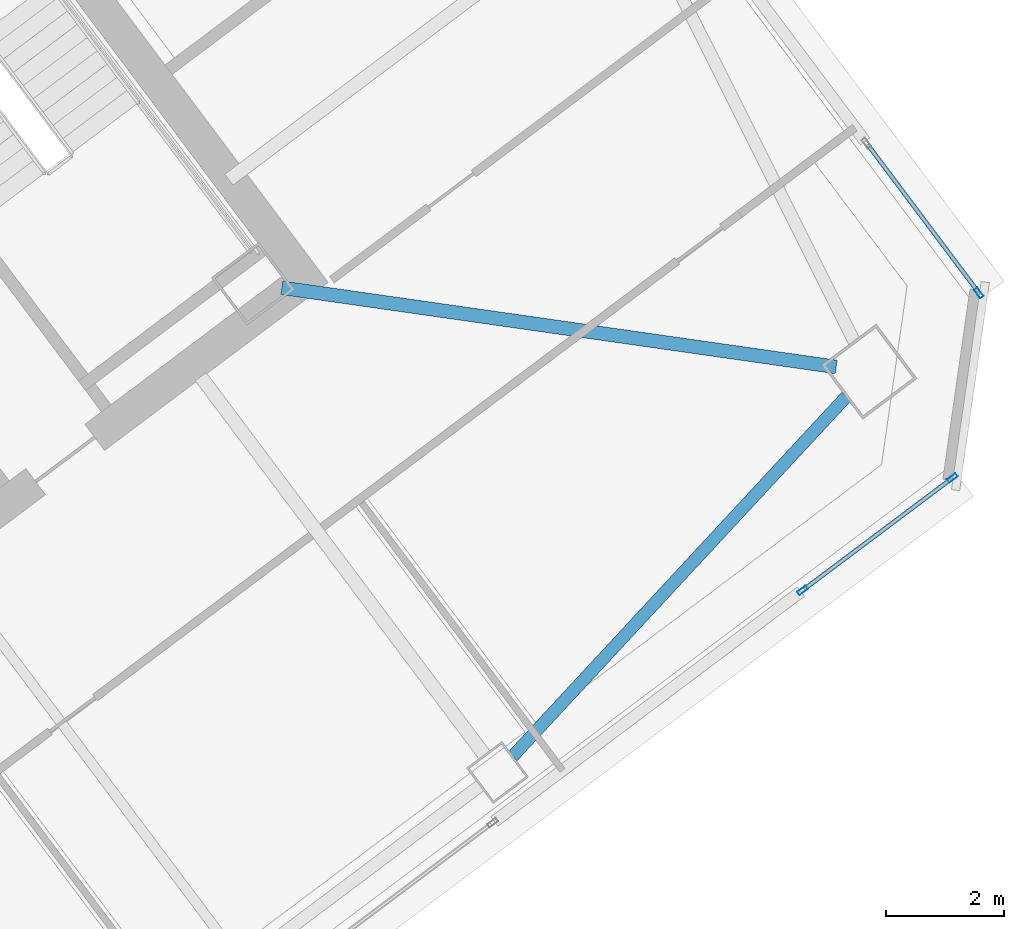
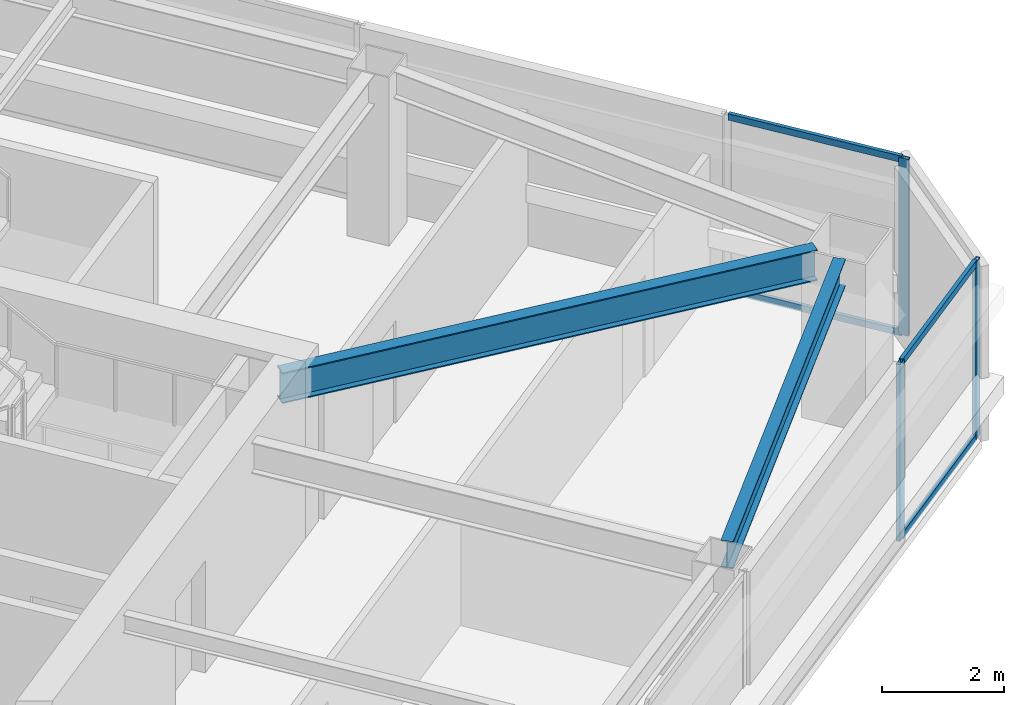
# One storey, part 23 of 41: 7 members, 2 beams, 2 elements without a shape of their own.
"""IFC4 building model written with IfcOpenShell, lengths in metres."""

from ifc_helpers import new_model, si_unit, direction, frame, origin, origin_2d, place, context, subcontext, project, spatial, hollow_rectangle, i_section, extrude, material, material_profile, profile_set, type_object, element, aggregate, save


model = new_model("IFC4")

# Units and contexts
model_context = context("Model", 3, precision=1e-05, world=origin(), true_north=direction((0.0, 1.0)))
body_context = subcontext(model_context, "Body", "Model", "MODEL_VIEW")
ifc_project = project(units=[si_unit("LENGTHUNIT", "METRE"), si_unit("AREAUNIT", "SQUARE_METRE"), si_unit("VOLUMEUNIT", "CUBIC_METRE"), si_unit("PLANEANGLEUNIT", "RADIAN"), si_unit("MASSUNIT", "GRAM", prefix="KILO")], contexts=[model_context])

# Site, building, storey
site_placement = place(None, origin())
site = spatial("IfcSite", under=ifc_project, at=site_placement, CompositionType="ELEMENT")
building_placement = place(site_placement, origin())
building = spatial("IfcBuilding", under=site, at=building_placement, Name="Tashvorn Skyway Center", CompositionType="ELEMENT")
storey_placement = place(building_placement, frame((0.0, 0.0, 171.199951171875)))
storey = spatial("IfcBuildingStorey", under=building, at=storey_placement, Name="L46", CompositionType="ELEMENT", Elevation=171.199951171875)

# Beams
ifc_material_1 = material(Name="Steel ASTM A992 Grade 50", Category="steel")
ifc_material_profile_1 = material_profile(ifc_material_1, i_section(OverallWidth=0.22998046875, OverallDepth=0.616943359375, WebThickness=0.01318359375, FlangeThickness=0.022216796875, at=origin_2d()), Name="W24X94")
ifc_profile_set_1 = profile_set([ifc_material_profile_1], Name="Steel ASTM A992 Grade 50")
beam_type_1 = type_object("IfcBeamType", Name="BM-BEAM-W24X94", PredefinedType="BEAM", material=ifc_profile_set_1)
beam_1_placement = place(storey_placement, frame((133.73583984375, 29.1806640625, 3.0615234375), z_axis=(-0.989950009213, 0.141417747326, 0.0), x_axis=(-0.141417747326, -0.989950009213, 0.0)))
element("IfcBeam", 1, at=beam_1_placement, inside=storey, type_object=beam_type_1, Name="Tower 2 L46 Primary Floor Girder MC-SE", PredefinedType="BEAM", context=body_context, shape_type="SweptSolid", body=[
    extrude(i_section(OverallWidth=0.22998046875, OverallDepth=0.616943359375, WebThickness=0.01318359375, FlangeThickness=0.022216796875, at=origin_2d()), origin(), (0.0, 0.0, 1.0), 9.470947265625),
])
ifc_material_profile_2 = material_profile(ifc_material_1, i_section(OverallWidth=0.2109375, OverallDepth=0.5390625, WebThickness=0.01171875, FlangeThickness=0.018798828125, at=origin_2d()), Name="W21X73")
ifc_profile_set_2 = profile_set([ifc_material_profile_2], Name="Steel ASTM A992 Grade 50")
beam_type_2 = type_object("IfcBeamType", Name="BM-SPANDREL-W21X73", PredefinedType="SPANDREL", material=ifc_profile_set_2)
beam_2_placement = place(storey_placement, frame((128.26171875, 22.59130859375, 3.1005859375), z_axis=(0.680119661736, 0.733101115618, 0.0), x_axis=(-0.733101115618, 0.680119661736, 0.0)))
element("IfcBeam", 2, at=beam_2_placement, inside=storey, type_object=beam_type_2, Name="Tower 2 L46 Spandrel Beam 03", PredefinedType="SPANDREL", context=body_context, shape_type="SweptSolid", body=[
    extrude(i_section(OverallWidth=0.2109375, OverallDepth=0.5390625, WebThickness=0.01171875, FlangeThickness=0.018798828125, at=origin_2d()), origin(), (0.0, 0.0, 1.0), 8.308349609375),
])

# Curtain wall, members
ifc_material_2 = material(Name="Thermally broken bronze-anodized aluminium 6063-T6", Category="aluminium")
curtain_wall_type = type_object("IfcCurtainWallType", Name="CW-CW-Z4", PredefinedType="NOTDEFINED", material=ifc_material_2)
curtain_wall_1_placement = place(storey_placement, origin())
curtain_wall_1 = element("IfcCurtainWall", 3, at=curtain_wall_1_placement, inside=storey, type_object=curtain_wall_type, Name="Tower 2 L46 South Unitised Curtain Wall Glazing Group 1", PredefinedType="NOTDEFINED")
ifc_material_profile_3 = material_profile(ifc_material_2, hollow_rectangle(XDim=0.070068359375, YDim=0.179931640625, WallThickness=0.00390625, at=origin_2d()), Name="ALU-MULL-70x180")
ifc_profile_set_3 = profile_set([ifc_material_profile_3], Name="Thermally broken bronze-anodized aluminium 6063-T6")
member_type_1 = type_object("IfcMemberType", Name="CWM-CW-Z4", PredefinedType="MULLION", material=ifc_profile_set_3)
member_1_placement = place(storey_placement, frame((135.7041015625, 27.302978515625, 0.0), z_axis=(0.0, 0.0, 1.0), x_axis=(0.600000000002, -0.799999999998, 0.0)))
member_1 = element("IfcMember", 4, at=member_1_placement, type_object=member_type_1, Name="CW-Z4 mullion 1", PredefinedType="MULLION", context=body_context, shape_type="SweptSolid", body=[
    extrude(hollow_rectangle(XDim=0.070068359375, YDim=0.179931640625, WallThickness=0.00390625, at=origin_2d()), origin(), (0.0, 0.0, 1.0), 3.550048828125),
])
member_2_placement = place(storey_placement, frame((133.16796875, 25.40087890625, 0.0), z_axis=(0.0, 0.0, 1.0), x_axis=(0.600000000002, -0.799999999998, 0.0)))
member_2 = element("IfcMember", 5, at=member_2_placement, type_object=member_type_1, Name="CW-Z4 mullion 2", PredefinedType="MULLION", context=body_context, shape_type="SweptSolid", body=[
    extrude(hollow_rectangle(XDim=0.070068359375, YDim=0.179931640625, WallThickness=0.00390625, at=origin_2d()), origin(), (0.0, 0.0, 1.0), 3.550048828125),
])

# Curtain wall, member
curtain_wall_2_placement = place(storey_placement, origin())
curtain_wall_2 = element("IfcCurtainWall", 6, at=curtain_wall_2_placement, inside=storey, type_object=curtain_wall_type, Name="Tower 2 L46 East Unitised Curtain Wall Glazing Group 3", PredefinedType="NOTDEFINED")
member_3_placement = place(storey_placement, frame((136.15087890625, 30.431884765625, 0.0), z_axis=(0.0, 0.0, 1.0), x_axis=(0.799999999998, 0.600000000002, 0.0)))
member_3 = element("IfcMember", 7, at=member_3_placement, type_object=member_type_1, Name="CW-Z4 mullion 2", PredefinedType="MULLION", context=body_context, shape_type="SweptSolid", body=[
    extrude(hollow_rectangle(XDim=0.070068359375, YDim=0.179931640625, WallThickness=0.00390625, at=origin_2d()), origin(), (0.0, 0.0, 1.0), 3.550048828125),
])

# Member
ifc_material_profile_4 = material_profile(ifc_material_2, hollow_rectangle(XDim=0.070068359375, YDim=0.1298828125, WallThickness=0.00390625, at=origin_2d()), Name="ALU-TRAN-70x130")
ifc_profile_set_4 = profile_set([ifc_material_profile_4], Name="Thermally broken bronze-anodized aluminium 6063-T6")
member_type_2 = type_object("IfcMemberType", Name="CWT-CW-Z4", PredefinedType="USERDEFINED", material=ifc_profile_set_4)
member_4_placement = place(storey_placement, frame((135.676025390625, 27.281982421875, 0.03515625), z_axis=(-0.800018901408, -0.599974797295, 0.0), x_axis=(0.599974797295, -0.800018901408, 0.0)))
member_4 = element("IfcMember", 8, at=member_4_placement, type_object=member_type_2, Name="CW-Z4 transom 1.1", ObjectType="TRANSOM", PredefinedType="USERDEFINED", context=body_context, shape_type="SweptSolid", body=[
    extrude(hollow_rectangle(XDim=0.070068359375, YDim=0.1298828125, WallThickness=0.00390625, at=origin_2d()), origin(), (0.0, 0.0, 1.0), 3.099853515625),
])

member_5_placement = place(storey_placement, frame((135.676025390625, 27.281982421875, 3.51513671875), z_axis=(-0.800018901408, -0.599974797295, 0.0), x_axis=(0.599974797295, -0.800018901408, 0.0)))
member_5 = element("IfcMember", 9, at=member_5_placement, type_object=member_type_2, Name="CW-Z4 transom 1.2", ObjectType="TRANSOM", PredefinedType="USERDEFINED", context=body_context, shape_type="SweptSolid", body=[
    extrude(hollow_rectangle(XDim=0.070068359375, YDim=0.1298828125, WallThickness=0.00390625, at=origin_2d()), origin(), (0.0, 0.0, 1.0), 3.099853515625),
])

aggregate(curtain_wall_1, [member_1, member_2, member_4, member_5])

member_6_placement = place(storey_placement, frame((134.27001953125, 32.93994140625, 0.03515625), z_axis=(0.599974797295, -0.800018901408, 0.0), x_axis=(0.800018901408, 0.599974797295, 0.0)))
member_6 = element("IfcMember", 10, at=member_6_placement, type_object=member_type_2, Name="CW-Z4 transom 1.1", ObjectType="TRANSOM", PredefinedType="USERDEFINED", context=body_context, shape_type="SweptSolid", body=[
    extrude(hollow_rectangle(XDim=0.070068359375, YDim=0.1298828125, WallThickness=0.00390625, at=origin_2d()), origin(), (0.0, 0.0, 1.0), 3.099853515625),
])

member_7_placement = place(storey_placement, frame((134.27001953125, 32.93994140625, 3.51513671875), z_axis=(0.599974797295, -0.800018901408, 0.0), x_axis=(0.800018901408, 0.599974797295, 0.0)))
member_7 = element("IfcMember", 11, at=member_7_placement, type_object=member_type_2, Name="CW-Z4 transom 1.2", ObjectType="TRANSOM", PredefinedType="USERDEFINED", context=body_context, shape_type="SweptSolid", body=[
    extrude(hollow_rectangle(XDim=0.070068359375, YDim=0.1298828125, WallThickness=0.00390625, at=origin_2d()), origin(), (0.0, 0.0, 1.0), 3.099853515625),
])

aggregate(curtain_wall_2, [member_3, member_6, member_7])

save(model, "model.ifc")
